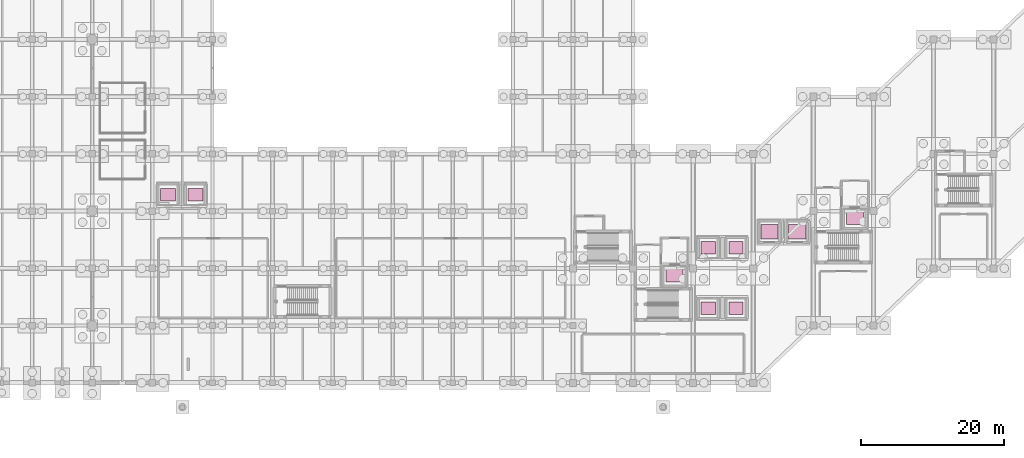
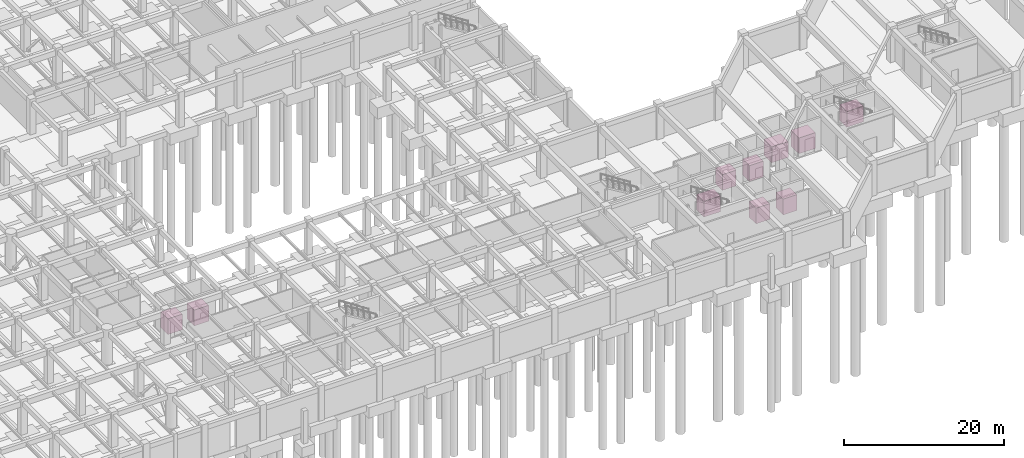
# One storey, part 56 of 56: 10 transport elements.
"""IFC4 building model written with IfcOpenShell, lengths in metres."""

import ifcopenshell
import ifcopenshell.guid

model = None  # the IFC model being written
_history = None  # IfcOwnerHistory: only IFC2X3 demands one
_inside = {}  # id of a spatial element -> (the spatial element, [elements in it])
_under = {}  # id of a project, library or spatial element -> (it, [spatial elements below it])
_declared = {}  # id of a project -> (the project, [libraries it declares])
_typed = {}  # id of a type object -> (the type object, [elements of that type])
_made_of = {}  # id of a material, layer set ... -> (it, [elements and type objects made of it])


def new_model(schema):
    """Start an empty IFC model of exactly this schema.

    Asked for "IFC4X3", IfcOpenShell would pick the latest addendum, in which some entities
    have other attributes; the version numbers below select the first issue.
    IFC2X3 requires an IfcOwnerHistory on every rooted entity: one is made here for all.
    """
    global model, _history
    if schema == "IFC4X3":
        model = ifcopenshell.file(schema_version=(4, 3, 0, 0))
    else:
        model = ifcopenshell.file(schema=schema)
    _inside.clear()
    _under.clear()
    _declared.clear()
    _typed.clear()
    _made_of.clear()
    _history = None
    if model.schema == "IFC2X3":
        org = make("IfcOrganization", Name="unknown")
        user = make(
            "IfcPersonAndOrganization",
            ThePerson=make("IfcPerson", FamilyName="unknown"),
            TheOrganization=org,
        )
        app = make(
            "IfcApplication",
            ApplicationDeveloper=org,
            Version="unknown",
            ApplicationFullName="unknown",
            ApplicationIdentifier="unknown",
        )
        _history = make(
            "IfcOwnerHistory",
            OwningUser=user,
            OwningApplication=app,
            ChangeAction="ADDED",
            CreationDate=0,
        )
    return model


def make(cls, **values):
    """One entity of the class cls with the attributes given. An attribute that is None is left unset."""
    return model.create_entity(
        cls, **{name: value for name, value in values.items() if value is not None}
    )


def rooted(cls, **values):
    """An entity with a GlobalId (a new one), such as an element, a storey or a relation."""
    return make(cls, GlobalId=ifcopenshell.guid.new(), OwnerHistory=_history, **values)


def si_unit(unit_type, name, prefix=None):
    """IfcSIUnit, for example si_unit("LENGTHUNIT", "METRE", prefix="MILLI")."""
    return make("IfcSIUnit", UnitType=unit_type, Prefix=prefix, Name=name)


def assignment(units):
    """IfcUnitAssignment: the units of a project."""
    return None if units is None else make("IfcUnitAssignment", Units=units)


def point(xyz):
    """IfcCartesianPoint."""
    return None if xyz is None else make("IfcCartesianPoint", Coordinates=xyz)


def direction(xyz):
    """IfcDirection."""
    return None if xyz is None else make("IfcDirection", DirectionRatios=xyz)


def frame(location, z_axis=None, x_axis=None):
    """IfcAxis2Placement3D, a coordinate frame: its origin and axes. An axis left out is left unset."""
    return make(
        "IfcAxis2Placement3D",
        Location=point(location),
        Axis=direction(z_axis),
        RefDirection=direction(x_axis),
    )


def frame_2d(location, x_axis=None):
    """IfcAxis2Placement2D, a coordinate frame in the plane: its origin and x axis."""
    return make(
        "IfcAxis2Placement2D", Location=point(location), RefDirection=direction(x_axis)
    )


def origin():
    """The frame at (0, 0, 0) with its axes left unset."""
    return frame((0.0, 0.0, 0.0))


def origin_2d():
    """The frame at (0, 0) in the plane with its x axis left unset."""
    return frame_2d((0.0, 0.0))


def place(relative_to, where):
    """IfcLocalPlacement: puts the frame where relative to a parent placement (None: the world)."""
    return make(
        "IfcLocalPlacement", PlacementRelTo=relative_to, RelativePlacement=where
    )


def context(
    kind, dimensions, precision=None, world=None, true_north=None, identifier=None
):
    """IfcGeometricRepresentationContext, for example the 3D "Model" context."""
    return make(
        "IfcGeometricRepresentationContext",
        ContextIdentifier=identifier,
        ContextType=kind,
        CoordinateSpaceDimension=dimensions,
        Precision=precision,
        WorldCoordinateSystem=world,
        TrueNorth=true_north,
    )


def subcontext(parent, identifier, kind, view, scale=None):
    """IfcGeometricRepresentationSubContext, for example "Body" below "Model"."""
    return make(
        "IfcGeometricRepresentationSubContext",
        ContextIdentifier=identifier,
        ContextType=kind,
        ParentContext=parent,
        TargetScale=scale,
        TargetView=view,
    )


def project(units=None, contexts=None):
    """IfcProject with its units and contexts."""
    return rooted(
        "IfcProject",
        Name="project",
        RepresentationContexts=contexts,
        UnitsInContext=assignment(units),
    )


def spatial(cls, under=None, at=None, **own):
    """A site, building, storey or space (cls), placed at a placement, below another one or the project."""
    s = rooted(cls, ObjectPlacement=at, **own)
    if under is not None:
        _under.setdefault(under.id(), (under, []))[1].append(s)
    return s


def profile(cls, at=None, kind="AREA", **sizes):
    """A parametric profile (cls). Its sizes go by their IFC names, for example OverallWidth=200.0."""
    return make(cls, ProfileType=kind, Position=at, **sizes)


def rectangle(**sizes):
    """IfcRectangleProfileDef."""
    return profile("IfcRectangleProfileDef", **sizes)


def extrude(swept, where, along, depth):
    """IfcExtrudedAreaSolid: the profile swept, set in the frame where, extruded along a direction by depth."""
    return make(
        "IfcExtrudedAreaSolid",
        SweptArea=swept,
        Position=where,
        ExtrudedDirection=direction(along),
        Depth=depth,
    )


def shape(context_of_items, identifier, shape_type, items):
    """IfcShapeRepresentation: the items that make up one representation, for example the "Body"."""
    return make(
        "IfcShapeRepresentation",
        ContextOfItems=context_of_items,
        RepresentationIdentifier=identifier,
        RepresentationType=shape_type,
        Items=items,
    )


def material(Name=None, Category=None):
    """IfcMaterial."""
    return make("IfcMaterial", Name=Name, Category=Category)


def made_of(thing, what):
    """Note that an element or type object is made of a material, layer set ...; save() writes the relation."""
    if what is not None:
        _made_of.setdefault(what.id(), (what, []))[1].append(thing)
    return thing


def type_object(cls, material=None, **own):
    """A type object (cls), such as IfcWallType, which elements share."""
    return made_of(rooted(cls, **own), material)


def element(
    cls,
    number,
    at=None,
    inside=None,
    cuts=None,
    type_object=None,
    material=None,
    context=None,
    identifier="Body",
    shape_type=None,
    held_by="IfcProductDefinitionShape",
    body=None,
    shapes=None,
    **own,
):
    """One element of the class cls, such as IfcWall. Its Tag is "e" and its number.

    at: its placement. inside: the storey or other place that contains it. cuts: it is an
    opening in that element (IfcRelVoidsElement). A single representation is given by context,
    identifier, shape_type and body (its items); several are given by shapes. held_by: the class
    of the entity that holds the representations. save() writes the other relations.
    """
    e = rooted(cls, Tag="e%d" % number, ObjectPlacement=at, **own)
    if body is not None:
        shapes = [shape(context, identifier, shape_type, body)]
    if shapes is not None:
        e.Representation = make(held_by, Representations=shapes)
    if inside is not None:
        _inside.setdefault(inside.id(), (inside, []))[1].append(e)
    if cuts is not None:
        rooted(
            "IfcRelVoidsElement", RelatingBuildingElement=cuts, RelatedOpeningElement=e
        )
    if type_object is not None:
        _typed.setdefault(type_object.id(), (type_object, []))[1].append(e)
    return made_of(e, material)


def aggregate(whole, parts):
    """IfcRelAggregates: a whole, such as a stair, and the parts it consists of."""
    return rooted("IfcRelAggregates", RelatingObject=whole, RelatedObjects=parts)


def save(model, path):
    """Write the relations noted so far, then the file.

    IfcRelAggregates (storeys below a building ...), IfcRelContainedInSpatialStructure (elements
    in a storey), IfcRelDefinesByType, IfcRelAssociatesMaterial and IfcRelDeclares: one each for
    every whole, place, type object, material and project.
    """
    for whole, parts in _under.values():
        aggregate(whole, parts)
    for where, things in _inside.values():
        rooted(
            "IfcRelContainedInSpatialStructure",
            RelatedElements=things,
            RelatingStructure=where,
        )
    for kind, things in _typed.values():
        rooted("IfcRelDefinesByType", RelatedObjects=things, RelatingType=kind)
    for what, things in _made_of.values():
        rooted("IfcRelAssociatesMaterial", RelatedObjects=things, RelatingMaterial=what)
    for by, libraries in _declared.values():
        rooted("IfcRelDeclares", RelatingContext=by, RelatedDefinitions=libraries)
    model.write(path)


model = new_model("IFC4")

# Units and contexts
model_context = context("Model", 3, precision=1e-05, world=origin(), true_north=direction((0.0, 1.0)))
body_context = subcontext(model_context, "Body", "Model", "MODEL_VIEW")
ifc_project = project(units=[si_unit("LENGTHUNIT", "METRE"), si_unit("AREAUNIT", "SQUARE_METRE"), si_unit("VOLUMEUNIT", "CUBIC_METRE"), si_unit("PLANEANGLEUNIT", "RADIAN"), si_unit("MASSUNIT", "GRAM", prefix="KILO")], contexts=[model_context])

# Site, building, storey
site_placement = place(None, origin())
site = spatial("IfcSite", under=ifc_project, at=site_placement, CompositionType="ELEMENT")
building_placement = place(site_placement, origin())
building = spatial("IfcBuilding", under=site, at=building_placement, Name="Naruveol Harbour Congress Hotel", CompositionType="ELEMENT")
storey_placement = place(building_placement, frame((0.0, 0.0, -5.39990234375)))
storey = spatial("IfcBuildingStorey", under=building, at=storey_placement, Name="B01", CompositionType="ELEMENT", Elevation=-5.39990234375)

# Transport elements
ifc_material_1 = material(Name="Stainless Steel Elevator Cab", Category="steel")
transport_element_type_1 = type_object("IfcTransportElementType", Name="CONCOURSE SHUTTLE ELEVATOR CAR 2000KG", PredefinedType="ELEVATOR", material=ifc_material_1)
for number, where, z_axis, x_axis, name in (
    (1, (61.0, 26.300048828125, 0.0), (0.0, 0.0, 1.0), (1.0, 0.0, 0.0), "Congress Concourse Elevator CL1"),
    (2, (64.800048828125, 26.300048828125, 0.0), (0.0, 0.0, 1.0), (1.0, 0.0, 0.0), "Congress Concourse Elevator CL2"),
):
    element("IfcTransportElement", number, at=place(storey_placement, frame(where, z_axis=z_axis, x_axis=x_axis)), inside=storey, type_object=transport_element_type_1, Name=name, PredefinedType="ELEVATOR", context=body_context, shape_type="SweptSolid", body=[
        extrude(rectangle(XDim=2.10009765625, YDim=1.800048828125, at=origin_2d()), origin(), (0.0, 0.0, 1.0), 2.39990234375),
    ])
ifc_material_2 = material(Name="Stainless Steel Elevator Cab", Category="steel")
transport_element_type_2 = type_object("IfcTransportElementType", Name="FIREFIGHTING STRETCHER ELEVATOR CAR 2000KG", PredefinedType="ELEVATOR", material=ifc_material_2)
for number, where, z_axis, x_axis, name in (
    (3, (131.800048828125, 15.0, 0.0), (0.0, 0.0, 1.0), (1.0, 0.0, 0.0), "Firefighting Elevator FL1"),
    (4, (157.0, 23.0, 0.0), (0.0, 0.0, 1.0), (1.0, 0.0, 0.0), "Firefighting Elevator FL2"),
):
    element("IfcTransportElement", number, at=place(storey_placement, frame(where, z_axis=z_axis, x_axis=x_axis)), inside=storey, type_object=transport_element_type_2, Name=name, PredefinedType="ELEVATOR", context=body_context, shape_type="SweptSolid", body=[
        extrude(rectangle(XDim=2.39990234375, YDim=1.800048828125, at=origin_2d()), origin(), (0.0, 0.0, 1.0), 2.39990234375),
    ])
ifc_material_3 = material(Name="Stainless Steel Elevator Cab", Category="steel")
transport_element_type_3 = type_object("IfcTransportElementType", Name="GOODS SERVICE ELEVATOR CAR 2500KG", PredefinedType="ELEVATOR", material=ifc_material_3)
for number, where, z_axis, x_axis, name in (
    (5, (145.050048828125, 21.10009765625, 0.0), (0.0, 0.0, 1.0), (1.0, 0.0, 0.0), "Service Goods Elevator GL1"),
    (6, (148.949951171875, 21.10009765625, 0.0), (0.0, 0.0, 1.0), (1.0, 0.0, 0.0), "Service Goods Elevator GL2"),
):
    element("IfcTransportElement", number, at=place(storey_placement, frame(where, z_axis=z_axis, x_axis=x_axis)), inside=storey, type_object=transport_element_type_3, Name=name, PredefinedType="ELEVATOR", context=body_context, shape_type="SweptSolid", body=[
        extrude(rectangle(XDim=2.39990234375, YDim=2.0, at=origin_2d()), origin(), (0.0, 0.0, 1.0), 2.39990234375),
    ])
ifc_material_4 = material(Name="Stainless Steel Elevator Cab", Category="steel")
transport_element_type_4 = type_object("IfcTransportElementType", Name="PASSENGER ELEVATOR CAR 1600KG", PredefinedType="ELEVATOR", material=ifc_material_4)
for number, where, z_axis, x_axis, name in (
    (7, (136.5, 18.85009765625, 0.0), (0.0, 0.0, 1.0), (1.0, 0.0, 0.0), "Hotel Passenger Elevator PL1"),
    (8, (140.39990234375, 18.85009765625, 0.0), (0.0, 0.0, 1.0), (1.0, 0.0, 0.0), "Hotel Passenger Elevator PL2"),
    (9, (136.5, 10.449951171875, 0.0), (0.0, 0.0, 1.0), (1.0, 0.0, 0.0), "Hotel Passenger Elevator PL3"),
    (10, (140.39990234375, 10.449951171875, 0.0), (0.0, 0.0, 1.0), (1.0, 0.0, 0.0), "Hotel Passenger Elevator PL4"),
):
    element("IfcTransportElement", number, at=place(storey_placement, frame(where, z_axis=z_axis, x_axis=x_axis)), inside=storey, type_object=transport_element_type_4, Name=name, PredefinedType="ELEVATOR", context=body_context, shape_type="SweptSolid", body=[
        extrude(rectangle(XDim=2.0, YDim=1.75, at=origin_2d()), origin(), (0.0, 0.0, 1.0), 2.39990234375),
    ])

save(model, "model.ifc")
